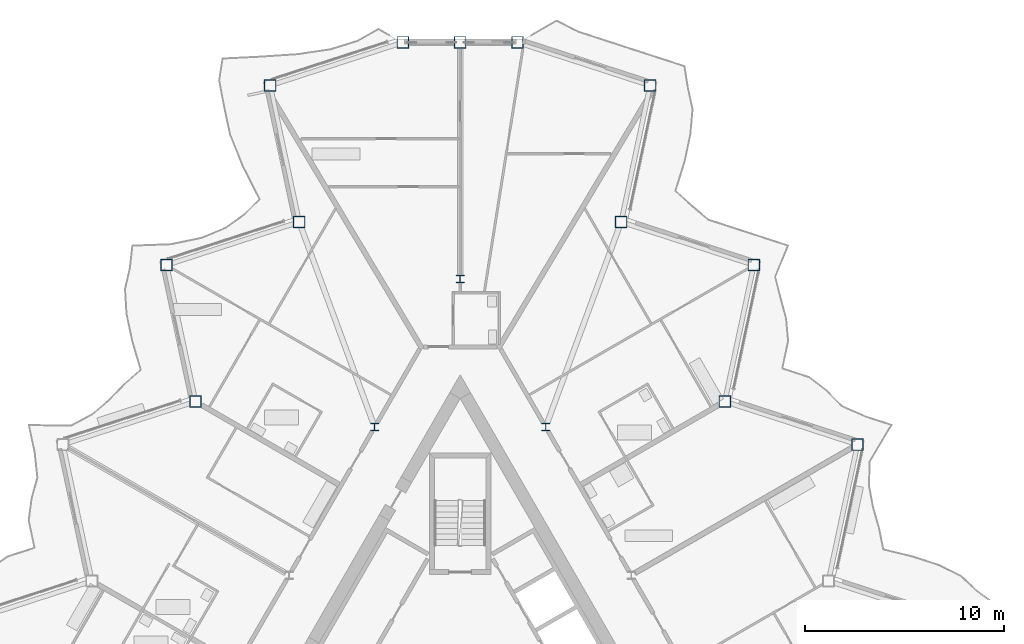
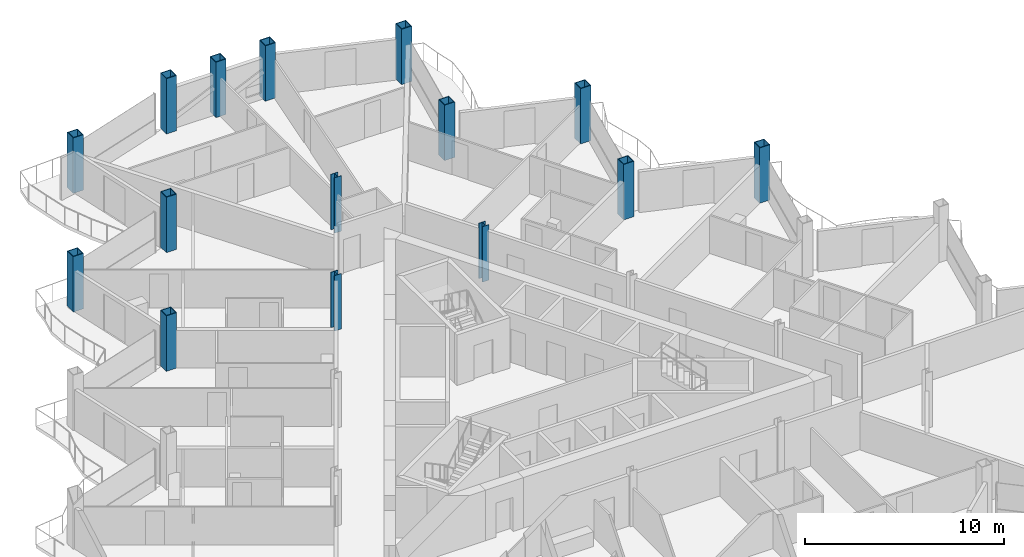
# One storey, part 3 of 26: 15 columns.
"""IFC4 building model written with IfcOpenShell, lengths in metres."""

from ifc_helpers import new_model, si_unit, direction, frame, origin, origin_2d, place, context, subcontext, project, spatial, hollow_rectangle, i_section, extrude, material, material_profile, profile_set, type_object, element, save


model = new_model("IFC4")

# Units and contexts
model_context = context("Model", 3, precision=1e-05, world=origin(), true_north=direction((0.0, 1.0)))
body_context = subcontext(model_context, "Body", "Model", "MODEL_VIEW")
ifc_project = project(units=[si_unit("LENGTHUNIT", "METRE"), si_unit("AREAUNIT", "SQUARE_METRE"), si_unit("VOLUMEUNIT", "CUBIC_METRE"), si_unit("PLANEANGLEUNIT", "RADIAN"), si_unit("MASSUNIT", "GRAM", prefix="KILO")], contexts=[model_context])

# Site, building, storey
site_placement = place(None, origin())
site = spatial("IfcSite", under=ifc_project, at=site_placement, CompositionType="ELEMENT")
building_placement = place(site_placement, origin())
building = spatial("IfcBuilding", under=site, at=building_placement, Name="Cormorant Prow Tower", CompositionType="ELEMENT")
storey_placement = place(building_placement, frame((0.0, 0.0, 329.0)))
storey = spatial("IfcBuildingStorey", under=building, at=storey_placement, Name="L73", CompositionType="ELEMENT", Elevation=329.0)

# Columns
ifc_material_1 = material(Name="Structural steel ASTM A572 Gr 50", Category="steel")
ifc_material_profile_1 = material_profile(ifc_material_1, hollow_rectangle(XDim=0.60009765625, YDim=0.60009765625, WallThickness=0.0400390625, at=origin_2d()), Name="Box 600x600x40")
ifc_profile_set_1 = profile_set([ifc_material_profile_1], Name="Structural steel ASTM A572 Gr 50")
column_type_1 = type_object("IfcColumnType", Name="Perimeter box column 600x600x40", PredefinedType="COLUMN", material=ifc_profile_set_1)
for number, where, z_axis, x_axis, name in (
    (1, (19.925537109375, 11.504150390625, 0.0), (0.0, 0.0, 1.0), (1.0, 0.0, 0.0), "Perimeter column C6 at ENE05 L73"),
    (2, (13.27197265625, 13.666015625, 0.0), (0.0, 0.0, 1.0), (1.0, 0.0, 0.0), "Perimeter column C6 at ENE06 L73"),
    (3, (14.7265625, 20.509033203125, 0.0), (0.0, 0.0, 1.0), (1.0, 0.0, 0.0), "Perimeter column C6 at ENE07 L73"),
    (4, (8.072998046875, 22.6708984375, 0.0), (0.0, 0.0, 1.0), (1.0, 0.0, 0.0), "Perimeter column C6 at ENE08 L73"),
    (5, (9.52734375, 29.51416015625, 0.0), (0.0, 0.0, 1.0), (1.0, 0.0, 0.0), "Perimeter column C6 at ENE09 L73"),
    (6, (2.873779296875, 31.676025390625, 0.0), (0.0, 0.0, 1.0), (1.0, 0.0, 0.0), "Perimeter column C6 at N00 L73"),
    (7, (0.0, 31.676025390625, 0.0), (0.0, 0.0, 1.0), (1.0, 0.0, 0.0), "Perimeter column C6 at N01 L73"),
    (8, (-2.873779296875, 31.676025390625, 0.0), (0.0, 0.0, 1.0), (1.0, 0.0, 0.0), "Perimeter column C6 at WNW00 L73"),
    (9, (-9.52734375, 29.51416015625, 0.0), (0.0, 0.0, 1.0), (1.0, 0.0, 0.0), "Perimeter column C6 at WNW01 L73"),
    (10, (-8.072998046875, 22.6708984375, 0.0), (0.0, 0.0, 1.0), (1.0, 0.0, 0.0), "Perimeter column C6 at WNW02 L73"),
    (11, (-14.7265625, 20.509033203125, 0.0), (0.0, 0.0, 1.0), (1.0, 0.0, 0.0), "Perimeter column C6 at WNW03 L73"),
    (12, (-13.27197265625, 13.666015625, 0.0), (0.0, 0.0, 1.0), (1.0, 0.0, 0.0), "Perimeter column C6 at WNW04 L73"),
):
    element("IfcColumn", number, at=place(storey_placement, frame(where, z_axis=z_axis, x_axis=x_axis)), inside=storey, type_object=column_type_1, Name=name, PredefinedType="COLUMN", context=body_context, shape_type="SweptSolid", body=[
        extrude(hollow_rectangle(XDim=0.60009765625, YDim=0.60009765625, WallThickness=0.0400390625, at=origin_2d()), origin(), (0.0, 0.0, 1.0), 3.39990234375),
    ])
ifc_material_2 = material(Name="Structural steel ASTM A992 Gr 50", Category="steel")
ifc_material_profile_2 = material_profile(ifc_material_2, i_section(OverallWidth=0.3955078125, OverallDepth=0.380615234375, WebThickness=0.018798828125, FlangeThickness=0.0302734375, at=origin_2d()), Name="W14x159")
ifc_profile_set_2 = profile_set([ifc_material_profile_2], Name="Structural steel ASTM A992 Gr 50")
column_type_2 = type_object("IfcColumnType", Name="Ring column W14x159", PredefinedType="COLUMN", material=ifc_profile_set_2)
for number, where, z_axis, x_axis, name in (
    (13, (0.0, 19.81103515625, 0.0), (0.0, 0.0, 1.0), (1.0, 0.0, 0.0), "Ring column 1 L73"),
    (14, (-4.289306640625, 12.3818359375, 0.0), (0.0, 0.0, 1.0), (1.0, 0.0, 0.0), "Ring column 2 L73"),
    (15, (4.289306640625, 12.3818359375, 0.0), (0.0, 0.0, 1.0), (1.0, 0.0, 0.0), "Ring column 12 L73"),
):
    element("IfcColumn", number, at=place(storey_placement, frame(where, z_axis=z_axis, x_axis=x_axis)), inside=storey, type_object=column_type_2, Name=name, PredefinedType="COLUMN", context=body_context, shape_type="SweptSolid", body=[
        extrude(i_section(OverallWidth=0.3955078125, OverallDepth=0.380615234375, WebThickness=0.018798828125, FlangeThickness=0.0302734375, at=origin_2d()), origin(), (0.0, 0.0, 1.0), 3.39990234375),
    ])

save(model, "model.ifc")
